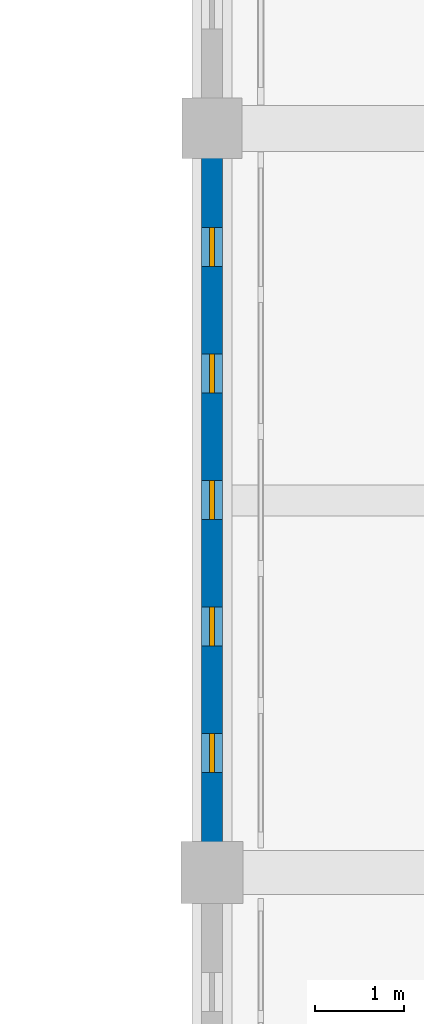
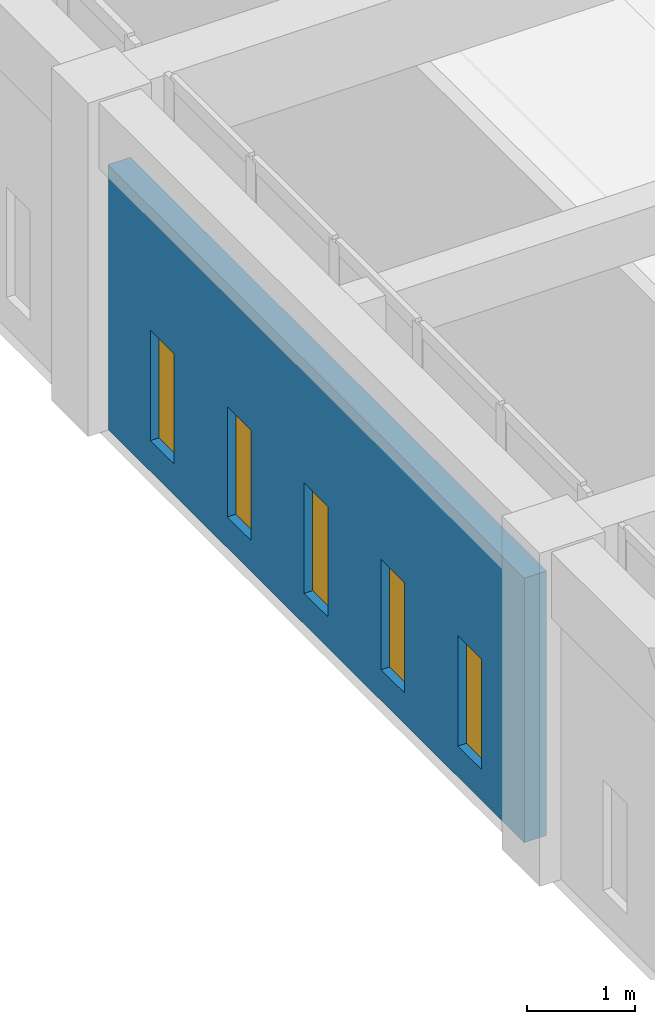
# One storey, part 87 of 110: 5 windows, 1 wall, 5 openings.
"""IFC4 building model written with IfcOpenShell, lengths in metres."""

from ifc_helpers import new_model, si_unit, direction, frame, frame_2d, origin, place, context, subcontext, project, spatial, rectangle, extrude, material, layer, layer_set, type_object, element, fill, save


model = new_model("IFC4")

# Units and contexts
model_context = context("Model", 3, precision=1e-05, world=origin(), true_north=direction((0.0, 1.0)))
body_context = subcontext(model_context, "Body", "Model", "MODEL_VIEW")
ifc_project = project(units=[si_unit("LENGTHUNIT", "METRE"), si_unit("AREAUNIT", "SQUARE_METRE"), si_unit("VOLUMEUNIT", "CUBIC_METRE"), si_unit("PLANEANGLEUNIT", "RADIAN"), si_unit("MASSUNIT", "GRAM", prefix="KILO")], contexts=[model_context])

# Site, building, storey
site_placement = place(None, origin())
site = spatial("IfcSite", under=ifc_project, at=site_placement, CompositionType="ELEMENT")
building_placement = place(site_placement, origin())
building = spatial("IfcBuilding", under=site, at=building_placement, Name="Kveldsbrygga Polytechnic", CompositionType="ELEMENT")
storey_placement = place(building_placement, frame((0.0, 0.0, 9.860107421875)))
storey = spatial("IfcBuildingStorey", under=building, at=storey_placement, Name="L02", CompositionType="ELEMENT", Elevation=9.860107421875)

# Wall, openings, windows
ifc_material_1 = material(Name="Fired clay brick masonry M10", Category="masonry")
ifc_layer = layer(ifc_material_1, 0.239990234375)
ifc_layer_set = layer_set([ifc_layer], Name="Fired clay brick masonry M10")
wall_type = type_object("IfcWallType", Name="EW-SCRN-240", PredefinedType="SOLIDWALL", material=ifc_layer_set)
wall_placement = place(storey_placement, frame((126.0, 59.135009765625, 0.0), z_axis=(0.0, 0.0, 1.0), x_axis=(0.0, 1.0, 0.0)))
wall = element("IfcWall", 1, at=wall_placement, inside=storey, type_object=wall_type, Name="Perforated Brick Corridor Screen Wall SCRW-L02-Y-15-07", PredefinedType="SOLIDWALL", context=body_context, shape_type="SweptSolid", body=[
    extrude(rectangle(XDim=7.739990234375, YDim=0.239990234375, at=frame_2d((3.8701171875, 0.0))), origin(), (0.0, 0.0, 1.0), 3.0),
])
opening_1_placement = place(wall_placement, frame((0.7939453125, 0.0, 0.35009765625)))
opening_1 = element("IfcOpeningElement", 2, at=opening_1_placement, cuts=wall, Name="Opening W-48", PredefinedType="OPENING", context=body_context, shape_type="SweptSolid", body=[
    extrude(rectangle(XDim=0.43994140625, YDim=1.25, at=frame_2d((0.219970703125, 0.625))), frame((0.0, 0.1298828125, 0.0), z_axis=(0.0, -1.0, 0.0), x_axis=(1.0, 0.0, 0.0)), (0.0, 0.0, 1.0), 0.260009765625),
])
opening_2_placement = place(wall_placement, frame((2.221923828125, 0.0, 0.35009765625)))
opening_2 = element("IfcOpeningElement", 3, at=opening_2_placement, cuts=wall, Name="Opening W-48", PredefinedType="OPENING", context=body_context, shape_type="SweptSolid", body=[
    extrude(rectangle(XDim=0.43994140625, YDim=1.25, at=frame_2d((0.219970703125, 0.625))), frame((0.0, 0.1298828125, 0.0), z_axis=(0.0, -1.0, 0.0), x_axis=(1.0, 0.0, 0.0)), (0.0, 0.0, 1.0), 0.260009765625),
])
opening_3_placement = place(wall_placement, frame((3.64990234375, 0.0, 0.35009765625)))
opening_3 = element("IfcOpeningElement", 4, at=opening_3_placement, cuts=wall, Name="Opening W-48", PredefinedType="OPENING", context=body_context, shape_type="SweptSolid", body=[
    extrude(rectangle(XDim=0.43994140625, YDim=1.25, at=frame_2d((0.219970703125, 0.625))), frame((0.0, 0.1298828125, 0.0), z_axis=(0.0, -1.0, 0.0), x_axis=(1.0, 0.0, 0.0)), (0.0, 0.0, 1.0), 0.260009765625),
])
opening_4_placement = place(wall_placement, frame((5.077880859375, 0.0, 0.35009765625)))
opening_4 = element("IfcOpeningElement", 5, at=opening_4_placement, cuts=wall, Name="Opening W-48", PredefinedType="OPENING", context=body_context, shape_type="SweptSolid", body=[
    extrude(rectangle(XDim=0.43994140625, YDim=1.25, at=frame_2d((0.219970703125, 0.625))), frame((0.0, 0.1298828125, 0.0), z_axis=(0.0, -1.0, 0.0), x_axis=(1.0, 0.0, 0.0)), (0.0, 0.0, 1.0), 0.260009765625),
])
opening_5_placement = place(wall_placement, frame((6.506103515625, 0.0, 0.35009765625)))
opening_5 = element("IfcOpeningElement", 6, at=opening_5_placement, cuts=wall, Name="Opening W-48", PredefinedType="OPENING", context=body_context, shape_type="SweptSolid", body=[
    extrude(rectangle(XDim=0.43994140625, YDim=1.25, at=frame_2d((0.219970703125, 0.625))), frame((0.0, 0.1298828125, 0.0), z_axis=(0.0, -1.0, 0.0), x_axis=(1.0, 0.0, 0.0)), (0.0, 0.0, 1.0), 0.260009765625),
])
ifc_material_2 = material(Name="Insulated triple low-E glass", Category="glass")
window_type = type_object("IfcWindowType", Name="WN-SCRN-044x125", PartitioningType="SINGLE_PANEL", PredefinedType="WINDOW", material=ifc_material_2)
window_1_placement = place(opening_1_placement, origin())
window_1 = element("IfcWindow", 7, at=window_1_placement, inside=storey, type_object=window_type, Name="Perforated Screen Aperture L02-Y-15-07-1", OverallHeight=1.25, OverallWidth=0.43994140625, PartitioningType="SINGLE_PANEL", PredefinedType="WINDOW", context=body_context, shape_type="SweptSolid", body=[
    extrude(rectangle(XDim=0.43994140625, YDim=1.25, at=frame_2d((0.219970703125, 0.625))), frame((0.0, 0.030029296875, 0.0), z_axis=(0.0, -1.0, 0.0), x_axis=(1.0, 0.0, 0.0)), (0.0, 0.0, 1.0), 0.06005859375),
])
fill(opening_1, window_1)
window_2_placement = place(opening_2_placement, origin())
window_2 = element("IfcWindow", 8, at=window_2_placement, inside=storey, type_object=window_type, Name="Perforated Screen Aperture L02-Y-15-07-2", OverallHeight=1.25, OverallWidth=0.43994140625, PartitioningType="SINGLE_PANEL", PredefinedType="WINDOW", context=body_context, shape_type="SweptSolid", body=[
    extrude(rectangle(XDim=0.43994140625, YDim=1.25, at=frame_2d((0.219970703125, 0.625))), frame((0.0, 0.030029296875, 0.0), z_axis=(0.0, -1.0, 0.0), x_axis=(1.0, 0.0, 0.0)), (0.0, 0.0, 1.0), 0.06005859375),
])
fill(opening_2, window_2)
window_3_placement = place(opening_3_placement, origin())
window_3 = element("IfcWindow", 9, at=window_3_placement, inside=storey, type_object=window_type, Name="Perforated Screen Aperture L02-Y-15-07-3", OverallHeight=1.25, OverallWidth=0.43994140625, PartitioningType="SINGLE_PANEL", PredefinedType="WINDOW", context=body_context, shape_type="SweptSolid", body=[
    extrude(rectangle(XDim=0.43994140625, YDim=1.25, at=frame_2d((0.219970703125, 0.625))), frame((0.0, 0.030029296875, 0.0), z_axis=(0.0, -1.0, 0.0), x_axis=(1.0, 0.0, 0.0)), (0.0, 0.0, 1.0), 0.06005859375),
])
fill(opening_3, window_3)
window_4_placement = place(opening_4_placement, origin())
window_4 = element("IfcWindow", 10, at=window_4_placement, inside=storey, type_object=window_type, Name="Perforated Screen Aperture L02-Y-15-07-4", OverallHeight=1.25, OverallWidth=0.43994140625, PartitioningType="SINGLE_PANEL", PredefinedType="WINDOW", context=body_context, shape_type="SweptSolid", body=[
    extrude(rectangle(XDim=0.43994140625, YDim=1.25, at=frame_2d((0.219970703125, 0.625))), frame((0.0, 0.030029296875, 0.0), z_axis=(0.0, -1.0, 0.0), x_axis=(1.0, 0.0, 0.0)), (0.0, 0.0, 1.0), 0.06005859375),
])
fill(opening_4, window_4)
window_5_placement = place(opening_5_placement, origin())
window_5 = element("IfcWindow", 11, at=window_5_placement, inside=storey, type_object=window_type, Name="Perforated Screen Aperture L02-Y-15-07-5", OverallHeight=1.25, OverallWidth=0.43994140625, PartitioningType="SINGLE_PANEL", PredefinedType="WINDOW", context=body_context, shape_type="SweptSolid", body=[
    extrude(rectangle(XDim=0.43994140625, YDim=1.25, at=frame_2d((0.219970703125, 0.625))), frame((0.0, 0.030029296875, 0.0), z_axis=(0.0, -1.0, 0.0), x_axis=(1.0, 0.0, 0.0)), (0.0, 0.0, 1.0), 0.06005859375),
])
fill(opening_5, window_5)

save(model, "model.ifc")
